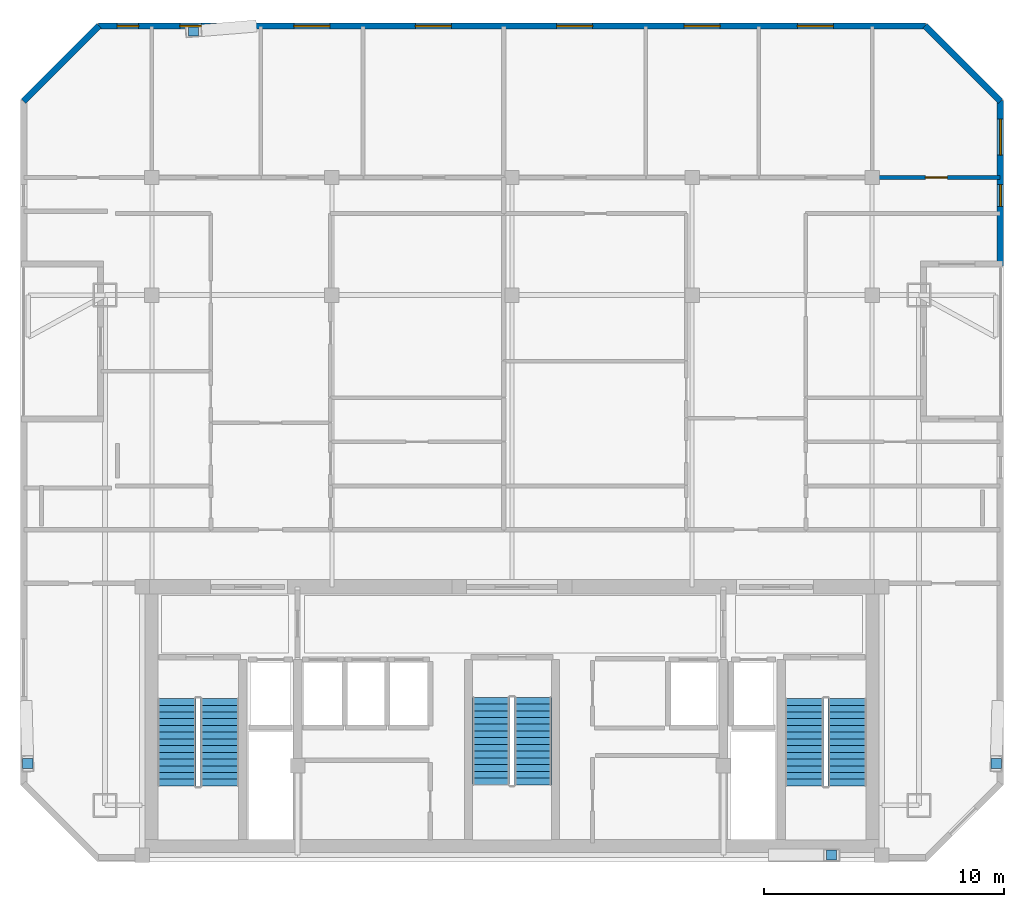
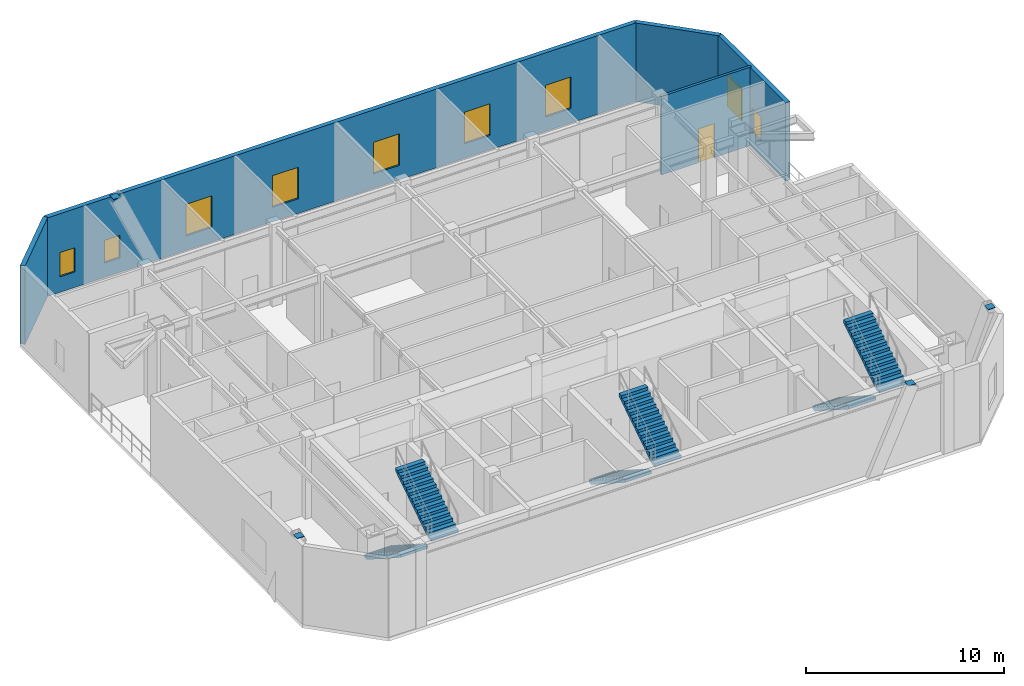
# One storey, part 6 of 7: 9 windows, 6 stair flights, 5 walls, 4 discrete accessories, 1 door, 10 openings, 3 elements without a shape of their own.
"""IFC4 building model written with IfcOpenShell, lengths in metres."""

from ifc_helpers import new_model, si_unit, direction, frame, frame_2d, origin, origin_2d, place, context, subcontext, project, spatial, polyline, rectangle, outline, extrude, material, layer, layer_set, type_object, element, fill, aggregate, save


model = new_model("IFC4")

# Units and contexts
model_context = context("Model", 3, precision=1e-05, world=origin(), true_north=direction((0.0, 1.0)))
body_context = subcontext(model_context, "Body", "Model", "MODEL_VIEW")
ifc_project = project(units=[si_unit("LENGTHUNIT", "METRE"), si_unit("AREAUNIT", "SQUARE_METRE"), si_unit("VOLUMEUNIT", "CUBIC_METRE"), si_unit("PLANEANGLEUNIT", "RADIAN"), si_unit("MASSUNIT", "GRAM", prefix="KILO")], contexts=[model_context])

# Site, building, storey
site_placement = place(None, origin())
site = spatial("IfcSite", under=ifc_project, at=site_placement, CompositionType="ELEMENT")
building_placement = place(site_placement, origin())
building = spatial("IfcBuilding", under=site, at=building_placement, Name="Ventersveld Concourse Tower", CompositionType="ELEMENT")
storey_placement = place(building_placement, frame((0.0, 0.0, 276.0)))
storey = spatial("IfcBuildingStorey", under=building, at=storey_placement, Name="L68", CompositionType="ELEMENT", Elevation=276.0)

# Wall, opening, door
ifc_material_1 = material(Name="Autoclaved aerated masonry blockwork", Category="masonry")
ifc_layer_1 = layer(ifc_material_1, 0.14990234375)
ifc_layer_set_1 = layer_set([ifc_layer_1], Name="Autoclaved aerated masonry blockwork")
wall_type_1 = type_object("IfcWallType", Name="WL-INT-150", PredefinedType="PARTITIONING", material=ifc_layer_set_1)
wall_1_placement = place(storey_placement, frame((43.784912109375, 28.5, 0.0), z_axis=(0.0, 0.0, 1.0), x_axis=(1.0, 0.0, 0.0)))
wall_1 = element("IfcWall", 1, at=wall_1_placement, inside=storey, type_object=wall_type_1, Name="L68 Interior Partition SP-L68-68N2-LIV-SP-L68-68N2-BR4", PredefinedType="PARTITIONING", context=body_context, shape_type="SweptSolid", body=[
    extrude(rectangle(XDim=5.28369140625, YDim=0.14990234375, at=frame_2d((2.641845703125, 0.0))), origin(), (0.0, 0.0, 1.0), 4.85009765625),
])
opening_1_placement = place(wall_1_placement, frame((2.181640625, 0.0, 0.0)))
opening_1 = element("IfcOpeningElement", 2, at=opening_1_placement, cuts=wall_1, Name="Opening ID1", PredefinedType="OPENING", context=body_context, shape_type="SweptSolid", body=[
    extrude(rectangle(XDim=0.919921875, YDim=2.10009765625, at=frame_2d((0.4599609375, 1.050048828125))), frame((0.0, 0.0849609375, 0.0), z_axis=(0.0, -1.0, 0.0), x_axis=(1.0, 0.0, 0.0)), (0.0, 0.0, 1.0), 0.169921875),
])
ifc_material_2 = material(Name="Solid-core hardwood veneer timber", Category="wood")
door_type = type_object("IfcDoorType", Name="DR-ROOM-092", OperationType="NOTDEFINED", PredefinedType="DOOR", material=ifc_material_2)
door_placement = place(opening_1_placement, origin())
door = element("IfcDoor", 3, at=door_placement, inside=storey, type_object=door_type, Name="L68 Interior Door SP-L68-68N2-LIV to SP-L68-68N2-BR4 (D-L68-3209)", OperationType="SINGLE_SWING_LEFT", OverallHeight=2.10009765625, OverallWidth=0.919921875, PredefinedType="DOOR", context=body_context, shape_type="SweptSolid", body=[
    extrude(rectangle(XDim=0.919921875, YDim=2.10009765625, at=frame_2d((0.4599609375, 1.050048828125))), frame((0.0, 0.02490234375, 0.0), z_axis=(0.0, -1.0, 0.0), x_axis=(1.0, 0.0, 0.0)), (0.0, 0.0, 1.0), 0.050048828125),
])
fill(opening_1, door)

# Wall, openings, windows
ifc_material_3 = material(Name="Precast concrete C45/55", Category="concrete")
ifc_layer_2 = layer(ifc_material_3, 0.260009765625)
ifc_layer_set_2 = layer_set([ifc_layer_2], Name="Precast concrete C45/55")
wall_type_2 = type_object("IfcWallType", Name="WL-PREC-260", PredefinedType="SOLIDWALL", material=ifc_layer_set_2)
wall_2_placement = place(storey_placement, frame((49.087890625, 24.80908203125, 0.0), z_axis=(0.0, 0.0, 1.0), x_axis=(0.0, 1.0, 0.0)))
wall_2 = element("IfcWall", 4, at=wall_2_placement, inside=storey, type_object=wall_type_2, Name="L68 Highveld Precast Facade Wall E07", PredefinedType="SOLIDWALL", context=body_context, shape_type="SweptSolid", body=[
    extrude(rectangle(XDim=6.888916015625, YDim=0.260009765625, at=frame_2d((3.4443359375, 0.0))), origin(), (0.0, 0.0, 1.0), 4.85009765625),
])
opening_2_placement = place(wall_2_placement, frame((2.490966796875, 0.0, 0.949951171875)))
opening_2 = element("IfcOpeningElement", 5, at=opening_2_placement, cuts=wall_2, Name="Opening W4", PredefinedType="OPENING", context=body_context, shape_type="SweptSolid", body=[
    extrude(rectangle(XDim=0.89990234375, YDim=1.5, at=frame_2d((0.449951171875, 0.75))), frame((0.0, 0.14013671875, 0.0), z_axis=(0.0, -1.0, 0.0), x_axis=(1.0, 0.0, 0.0)), (0.0, 0.0, 1.0), 0.280029296875),
])
opening_3_placement = place(wall_2_placement, frame((4.619140625, 0.0, 0.89990234375)))
opening_3 = element("IfcOpeningElement", 6, at=opening_3_placement, cuts=wall_2, Name="Opening W1", PredefinedType="OPENING", context=body_context, shape_type="SweptSolid", body=[
    extrude(rectangle(XDim=1.5, YDim=1.949951171875, at=frame_2d((0.75, 0.97509765625))), frame((0.0, 0.14013671875, 0.0), z_axis=(0.0, -1.0, 0.0), x_axis=(1.0, 0.0, 0.0)), (0.0, 0.0, 1.0), 0.280029296875),
])
ifc_material_4 = material(Name="Tempered acoustic Low-E IGU", Category="glass")
window_type_1 = type_object("IfcWindowType", Name="WIN-090x150", PartitioningType="SINGLE_PANEL", PredefinedType="WINDOW", material=ifc_material_4)
window_1_placement = place(opening_2_placement, origin())
window_1 = element("IfcWindow", 7, at=window_1_placement, inside=storey, type_object=window_type_1, Name="L68 Punched Low-E Window W-0973", OverallHeight=1.5, OverallWidth=0.89990234375, PartitioningType="SINGLE_PANEL", PredefinedType="WINDOW", context=body_context, shape_type="SweptSolid", body=[
    extrude(rectangle(XDim=0.89990234375, YDim=1.5, at=frame_2d((0.449951171875, 0.75))), frame((0.0, 0.030029296875, 0.0), z_axis=(0.0, -1.0, 0.0), x_axis=(1.0, 0.0, 0.0)), (0.0, 0.0, 1.0), 0.06005859375),
])
fill(opening_2, window_1)
window_type_2 = type_object("IfcWindowType", Name="WIN-150x210", PartitioningType="SINGLE_PANEL", PredefinedType="WINDOW", material=ifc_material_4)
window_2_placement = place(opening_3_placement, origin())
window_2 = element("IfcWindow", 8, at=window_2_placement, inside=storey, type_object=window_type_2, Name="L68 Punched Low-E Window W-0980", OverallHeight=1.949951171875, OverallWidth=1.5, PartitioningType="SINGLE_PANEL", PredefinedType="WINDOW", context=body_context, shape_type="SweptSolid", body=[
    extrude(rectangle(XDim=1.5, YDim=1.949951171875, at=frame_2d((0.75, 0.97509765625))), frame((0.0, 0.030029296875, 0.0), z_axis=(0.0, -1.0, 0.0), x_axis=(1.0, 0.0, 0.0)), (0.0, 0.0, 1.0), 0.06005859375),
])
fill(opening_3, window_2)

# Wall
wall_3_placement = place(storey_placement, frame((49.097900390625, 31.674560546875, 0.0), z_axis=(0.0, 0.0, 1.0), x_axis=(-0.707134240044, 0.707079321262, 0.0)))
element("IfcWall", 9, at=wall_3_placement, inside=storey, type_object=wall_type_2, Name="L68 Highveld Precast Facade Wall E08", PredefinedType="SOLIDWALL", context=body_context, shape_type="SweptSolid", body=[
    extrude(rectangle(XDim=4.445556640625, YDim=0.260009765625, at=frame_2d((2.22265625, 0.0))), origin(), (0.0, 0.0, 1.0), 4.85009765625),
])

# Wall, openings, windows
wall_4_placement = place(storey_placement, frame((45.97802734375, 34.80810546875, 0.0), z_axis=(0.0, 0.0, 1.0), x_axis=(-1.0, 0.0, 0.0)))
wall_4 = element("IfcWall", 10, at=wall_4_placement, inside=storey, type_object=wall_type_2, Name="L68 Highveld Precast Facade Wall E09", PredefinedType="SOLIDWALL", context=body_context, shape_type="SweptSolid", body=[
    extrude(rectangle(XDim=34.4560546875, YDim=0.260009765625, at=frame_2d((17.22802734375, 0.0))), origin(), (0.0, 0.0, 1.0), 4.85009765625),
])
opening_4_placement = place(wall_4_placement, frame((32.77587890625, 0.0, 0.949951171875)))
opening_4 = element("IfcOpeningElement", 11, at=opening_4_placement, cuts=wall_4, Name="Opening W4", PredefinedType="OPENING", context=body_context, shape_type="SweptSolid", body=[
    extrude(rectangle(XDim=0.89990234375, YDim=1.5, at=frame_2d((0.449951171875, 0.75))), frame((0.0, 0.14013671875, 0.0), z_axis=(0.0, -1.0, 0.0), x_axis=(1.0, 0.0, 0.0)), (0.0, 0.0, 1.0), 0.280029296875),
])
opening_5_placement = place(wall_4_placement, frame((30.159912109375, 0.0, 0.89990234375)))
opening_5 = element("IfcOpeningElement", 12, at=opening_5_placement, cuts=wall_4, Name="Opening W8", PredefinedType="OPENING", context=body_context, shape_type="SweptSolid", body=[
    extrude(rectangle(XDim=0.89990234375, YDim=1.39990234375, at=frame_2d((0.449951171875, 0.699951171875))), frame((0.0, 0.14013671875, 0.0), z_axis=(0.0, -1.0, 0.0), x_axis=(1.0, 0.0, 0.0)), (0.0, 0.0, 1.0), 0.280029296875),
])
opening_6_placement = place(wall_4_placement, frame((24.810546875, 0.0, 0.89990234375)))
opening_6 = element("IfcOpeningElement", 13, at=opening_6_placement, cuts=wall_4, Name="Opening W1", PredefinedType="OPENING", context=body_context, shape_type="SweptSolid", body=[
    extrude(rectangle(XDim=1.5, YDim=1.949951171875, at=frame_2d((0.75, 0.97509765625))), frame((0.0, 0.14013671875, 0.0), z_axis=(0.0, -1.0, 0.0), x_axis=(1.0, 0.0, 0.0)), (0.0, 0.0, 1.0), 0.280029296875),
])
opening_7_placement = place(wall_4_placement, frame((19.755126953125, 0.0, 0.89990234375)))
opening_7 = element("IfcOpeningElement", 14, at=opening_7_placement, cuts=wall_4, Name="Opening W1", PredefinedType="OPENING", context=body_context, shape_type="SweptSolid", body=[
    extrude(rectangle(XDim=1.5, YDim=1.949951171875, at=frame_2d((0.75, 0.97509765625))), frame((0.0, 0.14013671875, 0.0), z_axis=(0.0, -1.0, 0.0), x_axis=(1.0, 0.0, 0.0)), (0.0, 0.0, 1.0), 0.280029296875),
])
opening_8_placement = place(wall_4_placement, frame((13.86962890625, 0.0, 0.89990234375)))
opening_8 = element("IfcOpeningElement", 15, at=opening_8_placement, cuts=wall_4, Name="Opening W1", PredefinedType="OPENING", context=body_context, shape_type="SweptSolid", body=[
    extrude(rectangle(XDim=1.5, YDim=1.949951171875, at=frame_2d((0.75, 0.97509765625))), frame((0.0, 0.14013671875, 0.0), z_axis=(0.0, -1.0, 0.0), x_axis=(1.0, 0.0, 0.0)), (0.0, 0.0, 1.0), 0.280029296875),
])
opening_9_placement = place(wall_4_placement, frame((8.561767578125, 0.0, 0.89990234375)))
opening_9 = element("IfcOpeningElement", 16, at=opening_9_placement, cuts=wall_4, Name="Opening W1", PredefinedType="OPENING", context=body_context, shape_type="SweptSolid", body=[
    extrude(rectangle(XDim=1.5, YDim=1.949951171875, at=frame_2d((0.75, 0.97509765625))), frame((0.0, 0.14013671875, 0.0), z_axis=(0.0, -1.0, 0.0), x_axis=(1.0, 0.0, 0.0)), (0.0, 0.0, 1.0), 0.280029296875),
])
opening_10_placement = place(wall_4_placement, frame((3.84375, 0.0, 0.89990234375)))
opening_10 = element("IfcOpeningElement", 17, at=opening_10_placement, cuts=wall_4, Name="Opening W1", PredefinedType="OPENING", context=body_context, shape_type="SweptSolid", body=[
    extrude(rectangle(XDim=1.5, YDim=1.949951171875, at=frame_2d((0.75, 0.97509765625))), frame((0.0, 0.14013671875, 0.0), z_axis=(0.0, -1.0, 0.0), x_axis=(1.0, 0.0, 0.0)), (0.0, 0.0, 1.0), 0.280029296875),
])
window_type_3 = type_object("IfcWindowType", Name="WIN-090x140", PartitioningType="SINGLE_PANEL", PredefinedType="WINDOW", material=ifc_material_4)
window_3_placement = place(opening_5_placement, origin())
window_3 = element("IfcWindow", 18, at=window_3_placement, inside=storey, type_object=window_type_3, Name="L68 Punched Low-E Window W-0970", OverallHeight=1.39990234375, OverallWidth=0.89990234375, PartitioningType="SINGLE_PANEL", PredefinedType="WINDOW", context=body_context, shape_type="SweptSolid", body=[
    extrude(rectangle(XDim=0.89990234375, YDim=1.39990234375, at=frame_2d((0.449951171875, 0.699951171875))), frame((0.0, 0.030029296875, 0.0), z_axis=(0.0, -1.0, 0.0), x_axis=(1.0, 0.0, 0.0)), (0.0, 0.0, 1.0), 0.06005859375),
])
fill(opening_5, window_3)
window_4_placement = place(opening_4_placement, origin())
window_4 = element("IfcWindow", 19, at=window_4_placement, inside=storey, type_object=window_type_1, Name="L68 Punched Low-E Window W-0969", OverallHeight=1.5, OverallWidth=0.89990234375, PartitioningType="SINGLE_PANEL", PredefinedType="WINDOW", context=body_context, shape_type="SweptSolid", body=[
    extrude(rectangle(XDim=0.89990234375, YDim=1.5, at=frame_2d((0.449951171875, 0.75))), frame((0.0, 0.030029296875, 0.0), z_axis=(0.0, -1.0, 0.0), x_axis=(1.0, 0.0, 0.0)), (0.0, 0.0, 1.0), 0.06005859375),
])
fill(opening_4, window_4)
window_5_placement = place(opening_6_placement, origin())
window_5 = element("IfcWindow", 20, at=window_5_placement, inside=storey, type_object=window_type_2, Name="L68 Punched Low-E Window W-0971", OverallHeight=1.949951171875, OverallWidth=1.5, PartitioningType="SINGLE_PANEL", PredefinedType="WINDOW", context=body_context, shape_type="SweptSolid", body=[
    extrude(rectangle(XDim=1.5, YDim=1.949951171875, at=frame_2d((0.75, 0.97509765625))), frame((0.0, 0.030029296875, 0.0), z_axis=(0.0, -1.0, 0.0), x_axis=(1.0, 0.0, 0.0)), (0.0, 0.0, 1.0), 0.06005859375),
])
fill(opening_6, window_5)
window_6_placement = place(opening_7_placement, origin())
window_6 = element("IfcWindow", 21, at=window_6_placement, inside=storey, type_object=window_type_2, Name="L68 Punched Low-E Window W-0972", OverallHeight=1.949951171875, OverallWidth=1.5, PartitioningType="SINGLE_PANEL", PredefinedType="WINDOW", context=body_context, shape_type="SweptSolid", body=[
    extrude(rectangle(XDim=1.5, YDim=1.949951171875, at=frame_2d((0.75, 0.97509765625))), frame((0.0, 0.030029296875, 0.0), z_axis=(0.0, -1.0, 0.0), x_axis=(1.0, 0.0, 0.0)), (0.0, 0.0, 1.0), 0.06005859375),
])
fill(opening_7, window_6)
window_7_placement = place(opening_8_placement, origin())
window_7 = element("IfcWindow", 22, at=window_7_placement, inside=storey, type_object=window_type_2, Name="L68 Punched Low-E Window W-0977", OverallHeight=1.949951171875, OverallWidth=1.5, PartitioningType="SINGLE_PANEL", PredefinedType="WINDOW", context=body_context, shape_type="SweptSolid", body=[
    extrude(rectangle(XDim=1.5, YDim=1.949951171875, at=frame_2d((0.75, 0.97509765625))), frame((0.0, 0.030029296875, 0.0), z_axis=(0.0, -1.0, 0.0), x_axis=(1.0, 0.0, 0.0)), (0.0, 0.0, 1.0), 0.06005859375),
])
fill(opening_8, window_7)
window_8_placement = place(opening_9_placement, origin())
window_8 = element("IfcWindow", 23, at=window_8_placement, inside=storey, type_object=window_type_2, Name="L68 Punched Low-E Window W-0978", OverallHeight=1.949951171875, OverallWidth=1.5, PartitioningType="SINGLE_PANEL", PredefinedType="WINDOW", context=body_context, shape_type="SweptSolid", body=[
    extrude(rectangle(XDim=1.5, YDim=1.949951171875, at=frame_2d((0.75, 0.97509765625))), frame((0.0, 0.030029296875, 0.0), z_axis=(0.0, -1.0, 0.0), x_axis=(1.0, 0.0, 0.0)), (0.0, 0.0, 1.0), 0.06005859375),
])
fill(opening_9, window_8)
window_9_placement = place(opening_10_placement, origin())
window_9 = element("IfcWindow", 24, at=window_9_placement, inside=storey, type_object=window_type_2, Name="L68 Punched Low-E Window W-0979", OverallHeight=1.949951171875, OverallWidth=1.5, PartitioningType="SINGLE_PANEL", PredefinedType="WINDOW", context=body_context, shape_type="SweptSolid", body=[
    extrude(rectangle(XDim=1.5, YDim=1.949951171875, at=frame_2d((0.75, 0.97509765625))), frame((0.0, 0.030029296875, 0.0), z_axis=(0.0, -1.0, 0.0), x_axis=(1.0, 0.0, 0.0)), (0.0, 0.0, 1.0), 0.06005859375),
])
fill(opening_10, window_9)

# Wall
wall_5_placement = place(storey_placement, frame((11.545654296875, 34.81787109375, 0.0), z_axis=(0.0, 0.0, 1.0), x_axis=(-0.707134240044, -0.707079321262, 0.0)))
element("IfcWall", 25, at=wall_5_placement, inside=storey, type_object=wall_type_2, Name="L68 Highveld Precast Facade Wall E10", PredefinedType="SOLIDWALL", context=body_context, shape_type="SweptSolid", body=[
    extrude(rectangle(XDim=4.445556640625, YDim=0.260009765625, at=frame_2d((2.22265625, 0.0))), origin(), (0.0, 0.0, 1.0), 4.85009765625),
])

# Stair, stair flights
ifc_material_5 = material(Name="Concrete C50/60", Category="concrete")
stair_type_1 = type_object("IfcStairType", Name="ST-DOG-155", PredefinedType="HALF_TURN_STAIR", material=ifc_material_5)
stair_1_placement = place(storey_placement, origin())
stair_1 = element("IfcStair", 26, at=stair_1_placement, inside=storey, type_object=stair_type_1, Name="L68 Protected Central Core Escape Stair ST-03", PredefinedType="HALF_TURN_STAIR")
stair_flight_type_1 = type_object("IfcStairFlightType", Name="STF-RC-155", PredefinedType="STRAIGHT", material=ifc_material_5)
stair_flight_1_placement = place(storey_placement, frame((27.875, 6.85009765625, 0.0), z_axis=(0.0, 0.0, 1.0), x_axis=(0.0, -1.0, 0.0)))
stair_flight_1 = element("IfcStairFlight", 27, at=stair_flight_1_placement, type_object=stair_flight_type_1, Name="ST-03 flight 1", NumberOfRisers=14, NumberOfTreads=13, PredefinedType="STRAIGHT", RiserHeight=0.180357143, TreadLength=0.28, context=body_context, shape_type="SweptSolid", body=[
    extrude(outline(polyline([(0.0, 0.0), (0.0, 0.180419921875), (0.280029296875, 0.180419921875), (0.280029296875, 0.360595703125), (0.56005859375, 0.360595703125), (0.56005859375, 0.541015625), (0.840087890625, 0.541015625), (0.840087890625, 0.721435546875), (1.1201171875, 0.721435546875), (1.1201171875, 0.90185546875), (1.39990234375, 0.90185546875), (1.39990234375, 1.08203125), (1.679931640625, 1.08203125), (1.679931640625, 1.262451171875), (1.9599609375, 1.262451171875), (1.9599609375, 1.44287109375), (2.239990234375, 1.44287109375), (2.239990234375, 1.623291015625), (2.52001953125, 1.623291015625), (2.52001953125, 1.803466796875), (2.800048828125, 1.803466796875), (2.800048828125, 1.98388671875), (3.080078125, 1.98388671875), (3.080078125, 2.164306640625), (3.360107421875, 2.164306640625), (3.360107421875, 2.3447265625), (3.639892578125, 2.3447265625), (3.639892578125, 2.52490234375), (3.639892578125, 2.166259765625), (0.27685546875, 0.0), (0.0, 0.0)])), frame((0.0, 0.77490234375, 0.0), z_axis=(0.0, -1.0, 0.0), x_axis=(1.0, 0.0, 0.0)), (0.0, 0.0, 1.0), 1.550048828125),
])
stair_flight_2_placement = place(storey_placement, frame((29.625, 3.2099609375, 2.52490234375), z_axis=(0.0, 0.0, 1.0), x_axis=(0.0, 1.0, 0.0)))
stair_flight_2 = element("IfcStairFlight", 28, at=stair_flight_2_placement, type_object=stair_flight_type_1, Name="ST-03 flight 2", NumberOfRisers=14, NumberOfTreads=13, PredefinedType="STRAIGHT", RiserHeight=0.180357143, TreadLength=0.28, context=body_context, shape_type="SweptSolid", body=[
    extrude(outline(polyline([(0.0, 0.0), (0.0, 0.180419921875), (0.280029296875, 0.180419921875), (0.280029296875, 0.360595703125), (0.56005859375, 0.360595703125), (0.56005859375, 0.541015625), (0.840087890625, 0.541015625), (0.840087890625, 0.721435546875), (1.1201171875, 0.721435546875), (1.1201171875, 0.90185546875), (1.39990234375, 0.90185546875), (1.39990234375, 1.08203125), (1.679931640625, 1.08203125), (1.679931640625, 1.262451171875), (1.9599609375, 1.262451171875), (1.9599609375, 1.44287109375), (2.239990234375, 1.44287109375), (2.239990234375, 1.623291015625), (2.52001953125, 1.623291015625), (2.52001953125, 1.803466796875), (2.800048828125, 1.803466796875), (2.800048828125, 1.98388671875), (3.080078125, 1.98388671875), (3.080078125, 2.164306640625), (3.360107421875, 2.164306640625), (3.360107421875, 2.3447265625), (3.639892578125, 2.3447265625), (3.639892578125, 2.52490234375), (3.639892578125, 2.166259765625), (0.27685546875, 0.0), (0.0, 0.0)])), frame((0.0, 0.77490234375, 0.0), z_axis=(0.0, -1.0, 0.0), x_axis=(1.0, 0.0, 0.0)), (0.0, 0.0, 1.0), 1.550048828125),
])
aggregate(stair_1, [stair_flight_1, stair_flight_2])

stair_type_2 = type_object("IfcStairType", Name="ST-DOG-160", PredefinedType="HALF_TURN_STAIR", material=ifc_material_5)
stair_2_placement = place(storey_placement, origin())
stair_2 = element("IfcStair", 29, at=stair_2_placement, inside=storey, type_object=stair_type_2, Name="L68 Protected Tower Escape Stair ST-01", PredefinedType="HALF_TURN_STAIR")
stair_flight_type_2 = type_object("IfcStairFlightType", Name="STF-RC-160", PredefinedType="STRAIGHT", material=ifc_material_5)
stair_flight_3_placement = place(storey_placement, frame((14.780029296875, 6.800048828125, 0.0), z_axis=(0.0, 0.0, 1.0), x_axis=(0.0, -1.0, 0.0)))
stair_flight_3 = element("IfcStairFlight", 30, at=stair_flight_3_placement, type_object=stair_flight_type_2, Name="ST-01 flight 1", NumberOfRisers=14, NumberOfTreads=13, PredefinedType="STRAIGHT", RiserHeight=0.180357143, TreadLength=0.28, context=body_context, shape_type="SweptSolid", body=[
    extrude(outline(polyline([(0.0, 0.0), (0.0, 0.180419921875), (0.280029296875, 0.180419921875), (0.280029296875, 0.360595703125), (0.56005859375, 0.360595703125), (0.56005859375, 0.541015625), (0.840087890625, 0.541015625), (0.840087890625, 0.721435546875), (1.1201171875, 0.721435546875), (1.1201171875, 0.90185546875), (1.39990234375, 0.90185546875), (1.39990234375, 1.08203125), (1.679931640625, 1.08203125), (1.679931640625, 1.262451171875), (1.9599609375, 1.262451171875), (1.9599609375, 1.44287109375), (2.239990234375, 1.44287109375), (2.239990234375, 1.623291015625), (2.52001953125, 1.623291015625), (2.52001953125, 1.803466796875), (2.800048828125, 1.803466796875), (2.800048828125, 1.98388671875), (3.080078125, 1.98388671875), (3.080078125, 2.164306640625), (3.360107421875, 2.164306640625), (3.360107421875, 2.3447265625), (3.639892578125, 2.3447265625), (3.639892578125, 2.52490234375), (3.639892578125, 2.166259765625), (0.27685546875, 0.0), (0.0, 0.0)])), frame((0.0, 0.800048828125, 0.0), z_axis=(0.0, -1.0, 0.0), x_axis=(1.0, 0.0, 0.0)), (0.0, 0.0, 1.0), 1.60009765625),
])
stair_flight_4_placement = place(storey_placement, frame((16.580078125, 3.159912109375, 2.52490234375), z_axis=(0.0, 0.0, 1.0), x_axis=(0.0, 1.0, 0.0)))
stair_flight_4 = element("IfcStairFlight", 31, at=stair_flight_4_placement, type_object=stair_flight_type_2, Name="ST-01 flight 2", NumberOfRisers=14, NumberOfTreads=13, PredefinedType="STRAIGHT", RiserHeight=0.180357143, TreadLength=0.28, context=body_context, shape_type="SweptSolid", body=[
    extrude(outline(polyline([(0.0, 0.0), (0.0, 0.180419921875), (0.280029296875, 0.180419921875), (0.280029296875, 0.360595703125), (0.56005859375, 0.360595703125), (0.56005859375, 0.541015625), (0.840087890625, 0.541015625), (0.840087890625, 0.721435546875), (1.1201171875, 0.721435546875), (1.1201171875, 0.90185546875), (1.39990234375, 0.90185546875), (1.39990234375, 1.08203125), (1.679931640625, 1.08203125), (1.679931640625, 1.262451171875), (1.9599609375, 1.262451171875), (1.9599609375, 1.44287109375), (2.239990234375, 1.44287109375), (2.239990234375, 1.623291015625), (2.52001953125, 1.623291015625), (2.52001953125, 1.803466796875), (2.800048828125, 1.803466796875), (2.800048828125, 1.98388671875), (3.080078125, 1.98388671875), (3.080078125, 2.164306640625), (3.360107421875, 2.164306640625), (3.360107421875, 2.3447265625), (3.639892578125, 2.3447265625), (3.639892578125, 2.52490234375), (3.639892578125, 2.166259765625), (0.27685546875, 0.0), (0.0, 0.0)])), frame((0.0, 0.800048828125, 0.0), z_axis=(0.0, -1.0, 0.0), x_axis=(1.0, 0.0, 0.0)), (0.0, 0.0, 1.0), 1.60009765625),
])
aggregate(stair_2, [stair_flight_3, stair_flight_4])

stair_3_placement = place(storey_placement, origin())
stair_3 = element("IfcStair", 32, at=stair_3_placement, inside=storey, type_object=stair_type_2, Name="L68 Protected Tower Escape Stair ST-02", PredefinedType="HALF_TURN_STAIR")
stair_flight_5_placement = place(storey_placement, frame((40.919921875, 6.800048828125, 0.0), z_axis=(0.0, 0.0, 1.0), x_axis=(0.0, -1.0, 0.0)))
stair_flight_5 = element("IfcStairFlight", 33, at=stair_flight_5_placement, type_object=stair_flight_type_2, Name="ST-02 flight 1", NumberOfRisers=14, NumberOfTreads=13, PredefinedType="STRAIGHT", RiserHeight=0.180357143, TreadLength=0.28, context=body_context, shape_type="SweptSolid", body=[
    extrude(outline(polyline([(0.0, 0.0), (0.0, 0.180419921875), (0.280029296875, 0.180419921875), (0.280029296875, 0.360595703125), (0.56005859375, 0.360595703125), (0.56005859375, 0.541015625), (0.840087890625, 0.541015625), (0.840087890625, 0.721435546875), (1.1201171875, 0.721435546875), (1.1201171875, 0.90185546875), (1.39990234375, 0.90185546875), (1.39990234375, 1.08203125), (1.679931640625, 1.08203125), (1.679931640625, 1.262451171875), (1.9599609375, 1.262451171875), (1.9599609375, 1.44287109375), (2.239990234375, 1.44287109375), (2.239990234375, 1.623291015625), (2.52001953125, 1.623291015625), (2.52001953125, 1.803466796875), (2.800048828125, 1.803466796875), (2.800048828125, 1.98388671875), (3.080078125, 1.98388671875), (3.080078125, 2.164306640625), (3.360107421875, 2.164306640625), (3.360107421875, 2.3447265625), (3.639892578125, 2.3447265625), (3.639892578125, 2.52490234375), (3.639892578125, 2.166259765625), (0.27685546875, 0.0), (0.0, 0.0)])), frame((0.0, 0.800048828125, 0.0), z_axis=(0.0, -1.0, 0.0), x_axis=(1.0, 0.0, 0.0)), (0.0, 0.0, 1.0), 1.60009765625),
])
stair_flight_6_placement = place(storey_placement, frame((42.719970703125, 3.159912109375, 2.52490234375), z_axis=(0.0, 0.0, 1.0), x_axis=(0.0, 1.0, 0.0)))
stair_flight_6 = element("IfcStairFlight", 34, at=stair_flight_6_placement, type_object=stair_flight_type_2, Name="ST-02 flight 2", NumberOfRisers=14, NumberOfTreads=13, PredefinedType="STRAIGHT", RiserHeight=0.180357143, TreadLength=0.28, context=body_context, shape_type="SweptSolid", body=[
    extrude(outline(polyline([(0.0, 0.0), (0.0, 0.180419921875), (0.280029296875, 0.180419921875), (0.280029296875, 0.360595703125), (0.56005859375, 0.360595703125), (0.56005859375, 0.541015625), (0.840087890625, 0.541015625), (0.840087890625, 0.721435546875), (1.1201171875, 0.721435546875), (1.1201171875, 0.90185546875), (1.39990234375, 0.90185546875), (1.39990234375, 1.08203125), (1.679931640625, 1.08203125), (1.679931640625, 1.262451171875), (1.9599609375, 1.262451171875), (1.9599609375, 1.44287109375), (2.239990234375, 1.44287109375), (2.239990234375, 1.623291015625), (2.52001953125, 1.623291015625), (2.52001953125, 1.803466796875), (2.800048828125, 1.803466796875), (2.800048828125, 1.98388671875), (3.080078125, 1.98388671875), (3.080078125, 2.164306640625), (3.360107421875, 2.164306640625), (3.360107421875, 2.3447265625), (3.639892578125, 2.3447265625), (3.639892578125, 2.52490234375), (3.639892578125, 2.166259765625), (0.27685546875, 0.0), (0.0, 0.0)])), frame((0.0, 0.800048828125, 0.0), z_axis=(0.0, -1.0, 0.0), x_axis=(1.0, 0.0, 0.0)), (0.0, 0.0, 1.0), 1.60009765625),
])
aggregate(stair_3, [stair_flight_5, stair_flight_6])

# Discrete accessories
ifc_material_6 = material(Name="Structural steel S355J2", Category="steel")
discrete_accessory_type = type_object("IfcDiscreteAccessoryType", Name="CONN-BRACE-ECP1", PredefinedType="BRACKET", material=ifc_material_6)
for number, where, z_axis, x_axis, name in (
    (35, (15.489501953125, 34.595703125, 4.830078125), (0.0, 0.0, 1.0), (1.0, 0.0, 0.0), "L68 Steel Brace End Connection Plate ECP1-0454"),
    (36, (42.060546875, 0.280029296875, 4.830078125), (0.0, 0.0, 1.0), (1.0, 0.0, 0.0), "L68 Steel Brace End Connection Plate ECP1-0458"),
    (37, (8.58349609375, 4.089599609375, 4.830078125), (0.0, 0.0, 1.0), (1.0, 0.0, 0.0), "L68 Steel Brace End Connection Plate ECP1-0462"),
    (38, (48.91650390625, 4.089599609375, 4.830078125), (0.0, 0.0, 1.0), (1.0, 0.0, 0.0), "L68 Steel Brace End Connection Plate ECP1-0466"),
):
    element("IfcDiscreteAccessory", number, at=place(storey_placement, frame(where, z_axis=z_axis, x_axis=x_axis)), inside=storey, type_object=discrete_accessory_type, Name=name, PredefinedType="BRACKET", context=body_context, shape_type="SweptSolid", body=[
        extrude(rectangle(XDim=0.419921875, YDim=0.419921875, at=origin_2d()), origin(), (0.0, 0.0, 1.0), 0.0400390625),
    ])

save(model, "model.ifc")
